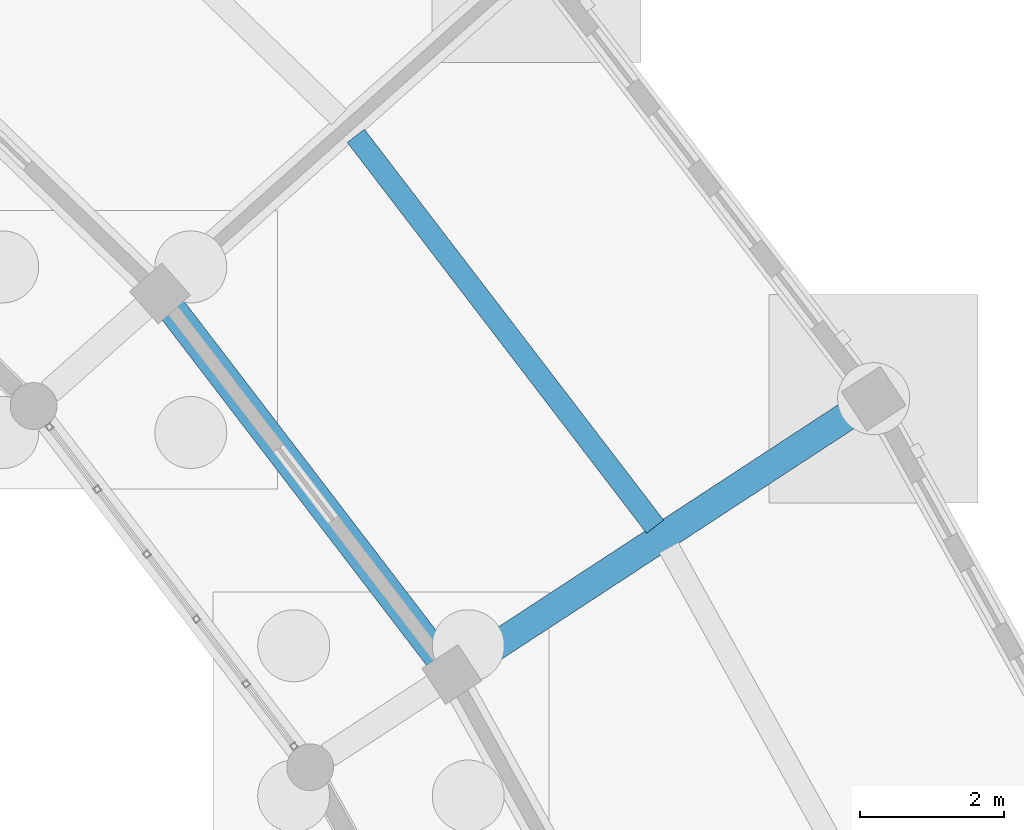
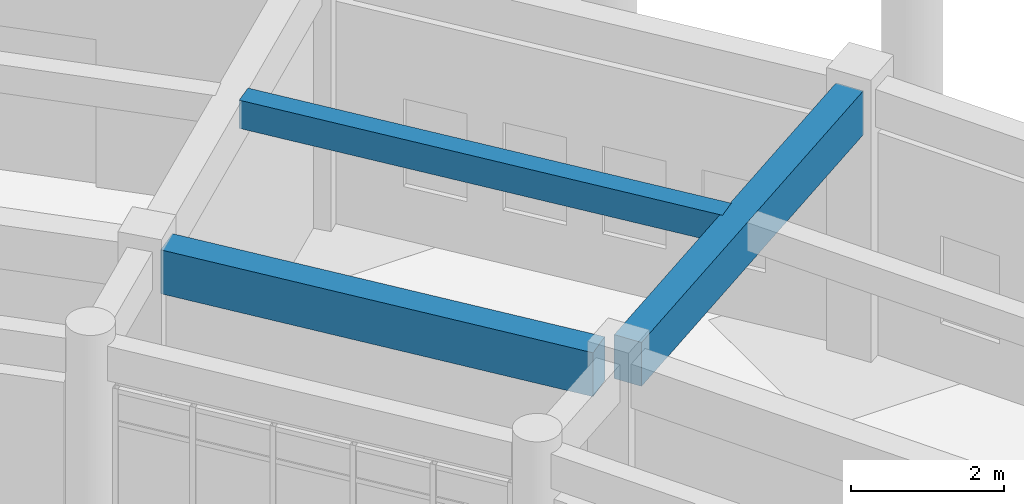
# One storey, part 80 of 153: 3 beams.
"""IFC4 building model written with IfcOpenShell, lengths in metres."""

from ifc_helpers import new_model, si_unit, direction, frame, origin, origin_2d, place, context, subcontext, project, spatial, rectangle, extrude, material, material_profile, profile_set, type_object, element, save


model = new_model("IFC4")

# Units and contexts
model_context = context("Model", 3, precision=1e-05, world=origin(), true_north=direction((0.0, 1.0)))
body_context = subcontext(model_context, "Body", "Model", "MODEL_VIEW")
ifc_project = project(units=[si_unit("LENGTHUNIT", "METRE"), si_unit("AREAUNIT", "SQUARE_METRE"), si_unit("VOLUMEUNIT", "CUBIC_METRE"), si_unit("PLANEANGLEUNIT", "RADIAN"), si_unit("MASSUNIT", "GRAM", prefix="KILO")], contexts=[model_context])

# Site, building, storey
site_placement = place(None, origin())
site = spatial("IfcSite", under=ifc_project, at=site_placement, CompositionType="ELEMENT")
building_placement = place(site_placement, origin())
building = spatial("IfcBuilding", under=site, at=building_placement, Name="Celadon Cloister-Ring School", CompositionType="ELEMENT")
storey_placement = place(building_placement, origin())
storey = spatial("IfcBuildingStorey", under=building, at=storey_placement, Name="L00", CompositionType="ELEMENT", Elevation=0.0)

# Beams
ifc_material_1 = material(Name="Concrete C35/45", Category="concrete")
ifc_material_profile_1 = material_profile(ifc_material_1, rectangle(XDim=0.39990234375, YDim=0.699951171875, at=origin_2d()), Name="RC400X700")
ifc_profile_set_1 = profile_set([ifc_material_profile_1], Name="Concrete C35/45")
beam_type_1 = type_object("IfcBeamType", Name="GT-03", PredefinedType="USERDEFINED", material=ifc_profile_set_1)
beam_1_placement = place(storey_placement, frame((130.264892578125, 87.302978515625, 3.929931640625), z_axis=(-0.83687052952, -0.547400873968, 0.0), x_axis=(0.547400873968, -0.83687052952, 0.0)))
element("IfcBeam", 1, at=beam_1_placement, inside=storey, type_object=beam_type_1, Name="Beam 0061", ObjectType="GIRDER", PredefinedType="USERDEFINED", context=body_context, shape_type="SweptSolid", body=[
    extrude(rectangle(XDim=0.39990234375, YDim=0.699951171875, at=origin_2d()), origin(), (0.0, 0.0, 1.0), 6.425048828125),
])
beam_2_placement = place(storey_placement, frame((124.490966796875, 83.85302734375, 3.929931640625), z_axis=(-0.607952175089, 0.793973647425, 0.0), x_axis=(-0.793973647425, -0.607952175089, 0.0)))
element("IfcBeam", 2, at=beam_2_placement, inside=storey, type_object=beam_type_1, Name="Beam 0188", ObjectType="GIRDER", PredefinedType="USERDEFINED", context=body_context, shape_type="SweptSolid", body=[
    extrude(rectangle(XDim=0.39990234375, YDim=0.699951171875, at=origin_2d()), origin(), (0.0, 0.0, 1.0), 6.1171875),
])
ifc_material_2 = material(Name="Concrete C35/45", Category="concrete")
ifc_material_profile_2 = material_profile(ifc_material_2, rectangle(XDim=0.300048828125, YDim=0.449951171875, at=origin_2d()), Name="RC300X450")
ifc_profile_set_2 = profile_set([ifc_material_profile_2], Name="Concrete C35/45")
beam_type_2 = type_object("IfcBeamType", Name="JT-01", PredefinedType="JOIST", material=ifc_profile_set_2)
beam_3_placement = place(storey_placement, frame((127.48095703125, 85.68994140625, 4.054931640625), z_axis=(-0.607998808463, 0.793937937692, 0.0), x_axis=(-0.793937937692, -0.607998808463, 0.0)))
element("IfcBeam", 3, at=beam_3_placement, inside=storey, type_object=beam_type_2, Name="Beam 0190", PredefinedType="JOIST", context=body_context, shape_type="SweptSolid", body=[
    extrude(rectangle(XDim=0.300048828125, YDim=0.449951171875, at=origin_2d()), origin(), (0.0, 0.0, 1.0), 6.83544921875),
])

save(model, "model.ifc")
